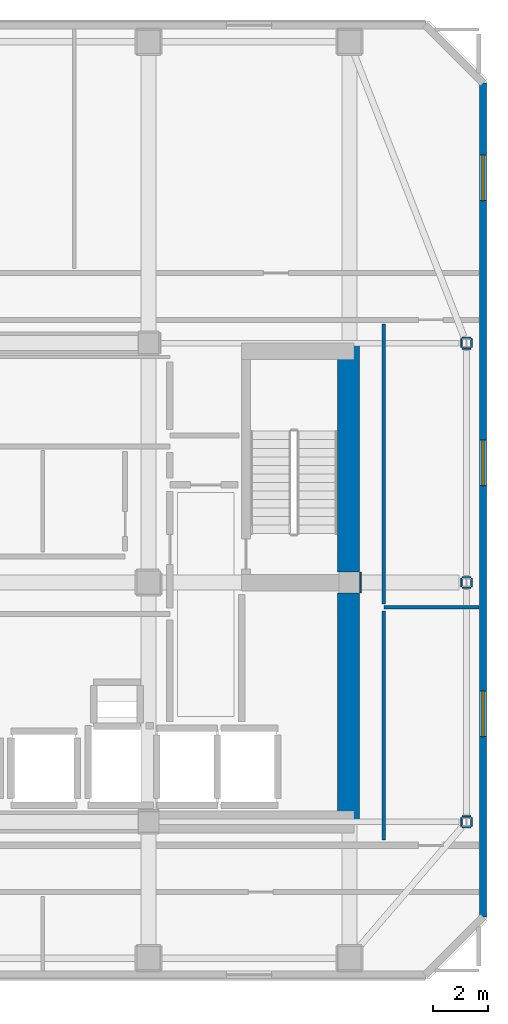
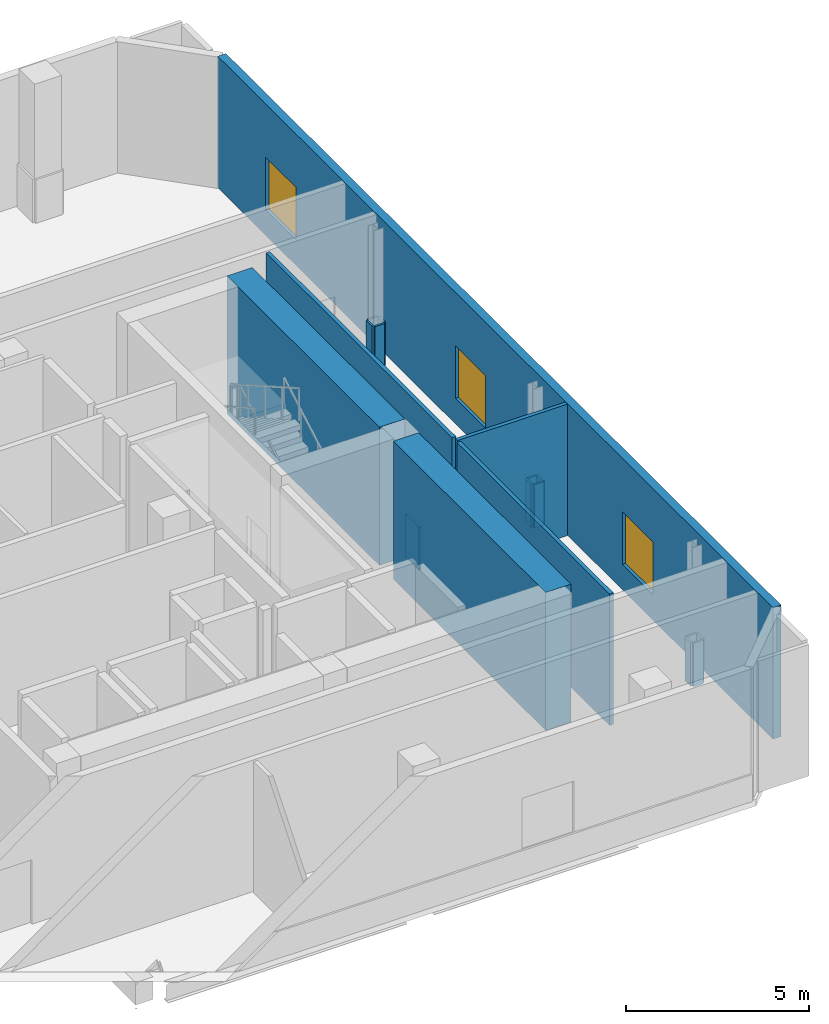
# One storey, part 7 of 10: 19 walls, 3 windows, 3 openings.
"""IFC4 building model written with IfcOpenShell, lengths in metres."""

from ifc_helpers import new_model, si_unit, direction, frame, frame_2d, origin, place, context, subcontext, project, spatial, rectangle, extrude, material, layer, layer_set, type_object, element, fill, save


model = new_model("IFC4")

# Units and contexts
model_context = context("Model", 3, precision=1e-05, world=origin(), true_north=direction((0.0, 1.0)))
body_context = subcontext(model_context, "Body", "Model", "MODEL_VIEW")
ifc_project = project(units=[si_unit("LENGTHUNIT", "METRE"), si_unit("AREAUNIT", "SQUARE_METRE"), si_unit("VOLUMEUNIT", "CUBIC_METRE"), si_unit("PLANEANGLEUNIT", "RADIAN"), si_unit("MASSUNIT", "GRAM", prefix="KILO")], contexts=[model_context])

# Site, building, storey
site_placement = place(None, origin())
site = spatial("IfcSite", under=ifc_project, at=site_placement, CompositionType="ELEMENT")
building_placement = place(site_placement, origin())
building = spatial("IfcBuilding", under=site, at=building_placement, Name="Solanera Arch Residences", CompositionType="ELEMENT")
storey_placement = place(building_placement, frame((0.0, 0.0, 268.8798828125)))
storey = spatial("IfcBuildingStorey", under=building, at=storey_placement, Name="L78", CompositionType="ELEMENT", Elevation=268.8798828125)

# Walls
ifc_material_1 = material(Name="Fire-Rated Gypsum Stud Partition", Category="gypsum")
ifc_layer_1 = layer(ifc_material_1, 0.06005859375)
ifc_layer_set_1 = layer_set([ifc_layer_1], Name="Fire-Rated Gypsum Stud Partition")
wall_type_1 = type_object("IfcWallType", Name="Column Acoustic Furring Wall 60", PredefinedType="PARTITIONING", material=ifc_layer_set_1)
wall_1_placement = place(storey_placement, frame((36.906982421875, 30.324951171875, 0.0), z_axis=(0.0, 0.0, 1.0), x_axis=(0.0, 1.0, 0.0)))
element("IfcWall", 1, at=wall_1_placement, inside=storey, type_object=wall_type_1, Name="L78 Column Furring 6E", PredefinedType="PARTITIONING", context=body_context, shape_type="SweptSolid", body=[
    extrude(rectangle(XDim=0.75, YDim=0.06005859375, at=frame_2d((0.375, 0.0))), origin(), (0.0, 0.0, 1.0), 1.4501953125),
])
for number, where, z_axis, x_axis, name in (
    (2, (40.596923828125, 21.81396484375, 0.0), (0.0, 0.0, 1.0), (1.0, 0.0, 0.0), "L78 Column Furring 18S"),
    (3, (40.596923828125, 22.18603515625, 0.0), (0.0, 0.0, 1.0), (1.0, 0.0, 0.0), "L78 Column Furring 18N"),
):
    element("IfcWall", number, at=place(storey_placement, frame(where, z_axis=z_axis, x_axis=x_axis)), inside=storey, type_object=wall_type_1, Name=name, PredefinedType="PARTITIONING", context=body_context, shape_type="SweptSolid", body=[
        extrude(rectangle(XDim=0.30615234375, YDim=0.06005859375, at=frame_2d((0.153076171875, 0.0))), origin(), (0.0, 0.0, 1.0), 1.4501953125),
    ])
for number, where, z_axis, x_axis, name in (
    (4, (40.56591796875, 21.845947265625, 0.0), (0.0, 0.0, 1.0), (0.0, 1.0, 0.0), "L78 Column Furring 18W"),
    (5, (40.93408203125, 21.845947265625, 0.0), (0.0, 0.0, 1.0), (0.0, 1.0, 0.0), "L78 Column Furring 18E"),
):
    element("IfcWall", number, at=place(storey_placement, frame(where, z_axis=z_axis, x_axis=x_axis)), inside=storey, type_object=wall_type_1, Name=name, PredefinedType="PARTITIONING", context=body_context, shape_type="SweptSolid", body=[
        extrude(rectangle(XDim=0.30810546875, YDim=0.06005859375, at=frame_2d((0.154052734375, 0.0))), origin(), (0.0, 0.0, 1.0), 1.4501953125),
    ])
for number, where, z_axis, x_axis, name in (
    (6, (40.596923828125, 30.513916015625, 0.0), (0.0, 0.0, 1.0), (1.0, 0.0, 0.0), "L78 Column Furring 20S"),
    (7, (40.596923828125, 30.885986328125, 0.0), (0.0, 0.0, 1.0), (1.0, 0.0, 0.0), "L78 Column Furring 20N"),
):
    element("IfcWall", number, at=place(storey_placement, frame(where, z_axis=z_axis, x_axis=x_axis)), inside=storey, type_object=wall_type_1, Name=name, PredefinedType="PARTITIONING", context=body_context, shape_type="SweptSolid", body=[
        extrude(rectangle(XDim=0.30615234375, YDim=0.06005859375, at=frame_2d((0.153076171875, 0.0))), origin(), (0.0, 0.0, 1.0), 1.4501953125),
    ])
for number, where, z_axis, x_axis, name in (
    (8, (40.56591796875, 30.5458984375, 0.0), (0.0, 0.0, 1.0), (0.0, 1.0, 0.0), "L78 Column Furring 20W"),
    (9, (40.93408203125, 30.5458984375, 0.0), (0.0, 0.0, 1.0), (0.0, 1.0, 0.0), "L78 Column Furring 20E"),
):
    element("IfcWall", number, at=place(storey_placement, frame(where, z_axis=z_axis, x_axis=x_axis)), inside=storey, type_object=wall_type_1, Name=name, PredefinedType="PARTITIONING", context=body_context, shape_type="SweptSolid", body=[
        extrude(rectangle(XDim=0.30810546875, YDim=0.06005859375, at=frame_2d((0.154052734375, 0.0))), origin(), (0.0, 0.0, 1.0), 1.4501953125),
    ])
for number, where, z_axis, x_axis, name in (
    (10, (40.596923828125, 39.214111328125, 0.0), (0.0, 0.0, 1.0), (1.0, 0.0, 0.0), "L78 Column Furring 22S"),
    (11, (40.596923828125, 39.5859375, 0.0), (0.0, 0.0, 1.0), (1.0, 0.0, 0.0), "L78 Column Furring 22N"),
):
    element("IfcWall", number, at=place(storey_placement, frame(where, z_axis=z_axis, x_axis=x_axis)), inside=storey, type_object=wall_type_1, Name=name, PredefinedType="PARTITIONING", context=body_context, shape_type="SweptSolid", body=[
        extrude(rectangle(XDim=0.30615234375, YDim=0.06005859375, at=frame_2d((0.153076171875, 0.0))), origin(), (0.0, 0.0, 1.0), 1.4501953125),
    ])
for number, where, z_axis, x_axis, name in (
    (12, (40.56591796875, 39.24609375, 0.0), (0.0, 0.0, 1.0), (0.0, 1.0, 0.0), "L78 Column Furring 22W"),
    (13, (40.93408203125, 39.24609375, 0.0), (0.0, 0.0, 1.0), (0.0, 1.0, 0.0), "L78 Column Furring 22E"),
):
    element("IfcWall", number, at=place(storey_placement, frame(where, z_axis=z_axis, x_axis=x_axis)), inside=storey, type_object=wall_type_1, Name=name, PredefinedType="PARTITIONING", context=body_context, shape_type="SweptSolid", body=[
        extrude(rectangle(XDim=0.307861328125, YDim=0.06005859375, at=frame_2d((0.15380859375, 0.0))), origin(), (0.0, 0.0, 1.0), 1.4501953125),
    ])
ifc_material_2 = material(Name="Concrete C40/50 (f'c = 45 MPa)", Category="concrete")
ifc_layer_2 = layer(ifc_material_2, 0.800048828125)
ifc_layer_set_2 = layer_set([ifc_layer_2], Name="Concrete C40/50 (f'c = 45 MPa)")
wall_type_2 = type_object("IfcWallType", Name="Core Shear Wall CW-800", PredefinedType="SHEAR", material=ifc_layer_set_2)
wall_2_placement = place(storey_placement, frame((36.4599609375, 22.0, 0.0), z_axis=(0.0, 0.0, 1.0), x_axis=(0.0, 1.0, 0.0)))
element("IfcWall", 14, at=wall_2_placement, inside=storey, type_object=wall_type_2, Name="L78 East Core South Shear Wall", PredefinedType="SHEAR", context=body_context, shape_type="SweptSolid", body=[
    extrude(rectangle(XDim=8.320068359375, YDim=0.800048828125, at=frame_2d((4.16015625, 0.0))), origin(), (0.0, 0.0, 1.0), 4.60009765625),
])
wall_3_placement = place(storey_placement, frame((36.4599609375, 31.080078125, 0.0), z_axis=(0.0, 0.0, 1.0), x_axis=(0.0, 1.0, 0.0)))
element("IfcWall", 15, at=wall_3_placement, inside=storey, type_object=wall_type_2, Name="L78 East Core North Shear Wall", PredefinedType="SHEAR", context=body_context, shape_type="SweptSolid", body=[
    extrude(rectangle(XDim=8.31982421875, YDim=0.800048828125, at=frame_2d((4.159912109375, 0.0))), origin(), (0.0, 0.0, 1.0), 4.60009765625),
])

# Wall, openings, windows
ifc_material_3 = material(Name="Precast Concrete C35/45", Category="concrete")
ifc_layer_3 = layer(ifc_material_3, 0.260009765625)
ifc_layer_set_3 = layer_set([ifc_layer_3], Name="Precast Concrete C35/45")
wall_type_3 = type_object("IfcWallType", Name="Exterior Wall Precast Masonry-Frame 260", PredefinedType="STANDARD", material=ifc_layer_set_3)
wall_4_placement = place(storey_placement, frame((41.35498046875, 48.85498046875, 0.0), z_axis=(0.0, 0.0, 1.0), x_axis=(0.0, -1.0, 0.0)))
wall_4 = element("IfcWall", 16, at=wall_4_placement, inside=storey, type_object=wall_type_3, Name="L78 Tower Exterior Precast Masonry-Frame Wall E", PredefinedType="STANDARD", context=body_context, shape_type="SweptSolid", body=[
    extrude(rectangle(XDim=30.31005859375, YDim=0.260009765625, at=frame_2d((15.155029296875, 0.0))), origin(), (0.0, 0.0, 1.0), 4.380126953125),
])
opening_1_placement = place(wall_4_placement, frame((2.6220703125, 0.0, 0.85009765625)))
opening_1 = element("IfcOpeningElement", 17, at=opening_1_placement, cuts=wall_4, Name="Opening W-08", PredefinedType="OPENING", context=body_context, shape_type="SweptSolid", body=[
    extrude(rectangle(XDim=1.64990234375, YDim=1.75, at=frame_2d((0.824951171875, 0.875))), frame((0.0, 0.139892578125, 0.0), z_axis=(0.0, -1.0, 0.0), x_axis=(1.0, 0.0, 0.0)), (0.0, 0.0, 1.0), 0.28),
])
opening_2_placement = place(wall_4_placement, frame((22.10302734375, 0.0, 0.85009765625)))
opening_2 = element("IfcOpeningElement", 18, at=opening_2_placement, cuts=wall_4, Name="Opening W-08", PredefinedType="OPENING", context=body_context, shape_type="SweptSolid", body=[
    extrude(rectangle(XDim=1.64990234375, YDim=1.75, at=frame_2d((0.824951171875, 0.875))), frame((0.0, 0.139892578125, 0.0), z_axis=(0.0, -1.0, 0.0), x_axis=(1.0, 0.0, 0.0)), (0.0, 0.0, 1.0), 0.28),
])
opening_3_placement = place(wall_4_placement, frame((12.97998046875, 0.0, 0.85009765625)))
opening_3 = element("IfcOpeningElement", 19, at=opening_3_placement, cuts=wall_4, Name="Opening W-08", PredefinedType="OPENING", context=body_context, shape_type="SweptSolid", body=[
    extrude(rectangle(XDim=1.64990234375, YDim=1.75, at=frame_2d((0.824951171875, 0.875))), frame((0.0, 0.139892578125, 0.0), z_axis=(0.0, -1.0, 0.0), x_axis=(1.0, 0.0, 0.0)), (0.0, 0.0, 1.0), 0.28),
])
ifc_material_4 = material(Name="Double Glazed Low-E Laminated Glass", Category="glass")
window_type = type_object("IfcWindowType", Name="Punched Window W-08", PartitioningType="DOUBLE_PANEL_HORIZONTAL", PredefinedType="WINDOW", material=ifc_material_4)
window_1_placement = place(opening_1_placement, origin())
window_1 = element("IfcWindow", 20, at=window_1_placement, inside=storey, type_object=window_type, Name="L78 CAFE-SKY Punched Window", OverallHeight=1.75, OverallWidth=1.64990234375, PartitioningType="SINGLE_PANEL", PredefinedType="WINDOW", context=body_context, shape_type="SweptSolid", body=[
    extrude(rectangle(XDim=1.64990234375, YDim=1.75, at=frame_2d((0.824951171875, 0.875))), frame((0.0, 0.030029296875, 0.0), z_axis=(0.0, -1.0, 0.0), x_axis=(1.0, 0.0, 0.0)), (0.0, 0.0, 1.0), 0.06005859375),
])
fill(opening_1, window_1)
window_2_placement = place(opening_2_placement, origin())
window_2 = element("IfcWindow", 21, at=window_2_placement, inside=storey, type_object=window_type, Name="L78 OBS-E1 Punched Window", OverallHeight=1.75, OverallWidth=1.64990234375, PartitioningType="SINGLE_PANEL", PredefinedType="WINDOW", context=body_context, shape_type="SweptSolid", body=[
    extrude(rectangle(XDim=1.64990234375, YDim=1.75, at=frame_2d((0.824951171875, 0.875))), frame((0.0, 0.030029296875, 0.0), z_axis=(0.0, -1.0, 0.0), x_axis=(1.0, 0.0, 0.0)), (0.0, 0.0, 1.0), 0.06005859375),
])
fill(opening_2, window_2)
window_3_placement = place(opening_3_placement, origin())
window_3 = element("IfcWindow", 22, at=window_3_placement, inside=storey, type_object=window_type, Name="L78 GAL-E2 Punched Window", OverallHeight=1.75, OverallWidth=1.64990234375, PartitioningType="SINGLE_PANEL", PredefinedType="WINDOW", context=body_context, shape_type="SweptSolid", body=[
    extrude(rectangle(XDim=1.64990234375, YDim=1.75, at=frame_2d((0.824951171875, 0.875))), frame((0.0, 0.030029296875, 0.0), z_axis=(0.0, -1.0, 0.0), x_axis=(1.0, 0.0, 0.0)), (0.0, 0.0, 1.0), 0.06005859375),
])
fill(opening_3, window_3)

# Walls
ifc_material_5 = material(Name="Fire-Rated Gypsum Stud Partition", Category="gypsum")
ifc_layer_4 = layer(ifc_material_5, 0.1201171875)
ifc_layer_set_4 = layer_set([ifc_layer_4], Name="Fire-Rated Gypsum Stud Partition")
wall_type_4 = type_object("IfcWallType", Name="Unit Drywall Partition 120", PredefinedType="PARTITIONING", material=ifc_layer_set_4)
wall_5_placement = place(storey_placement, frame((37.75, 29.800048828125, 0.0), z_axis=(0.0, 0.0, 1.0), x_axis=(1.0, 0.0, 0.0)))
element("IfcWall", 23, at=wall_5_placement, inside=storey, type_object=wall_type_4, Name="L78 Interior Partition H17", PredefinedType="PARTITIONING", context=body_context, shape_type="SweptSolid", body=[
    extrude(rectangle(XDim=3.462890625, YDim=0.1201171875, at=frame_2d((1.7314453125, 0.0))), origin(), (0.0, 0.0, 1.0), 4.380126953125),
])
wall_6_placement = place(storey_placement, frame((37.75, 21.337890625, 0.0), z_axis=(0.0, 0.0, 1.0), x_axis=(0.0, 1.0, 0.0)))
element("IfcWall", 24, at=wall_6_placement, inside=storey, type_object=wall_type_4, Name="L78 Interior Partition V16 1", PredefinedType="PARTITIONING", context=body_context, shape_type="SweptSolid", body=[
    extrude(rectangle(XDim=8.334228515625, YDim=0.1201171875, at=frame_2d((4.1669921875, 0.0))), origin(), (0.0, 0.0, 1.0), 4.380126953125),
])
wall_7_placement = place(storey_placement, frame((37.75, 29.927978515625, 0.0), z_axis=(0.0, 0.0, 1.0), x_axis=(0.0, 1.0, 0.0)))
element("IfcWall", 25, at=wall_7_placement, inside=storey, type_object=wall_type_4, Name="L78 Interior Partition V16 2", PredefinedType="PARTITIONING", context=body_context, shape_type="SweptSolid", body=[
    extrude(rectangle(XDim=10.1640625, YDim=0.1201171875, at=frame_2d((5.08203125, 0.0))), origin(), (0.0, 0.0, 1.0), 4.380126953125),
])

save(model, "model.ifc")
